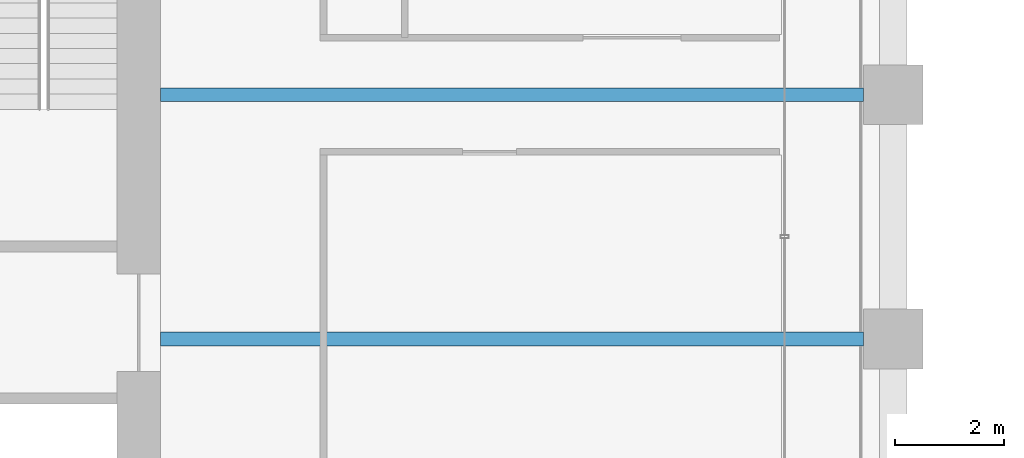
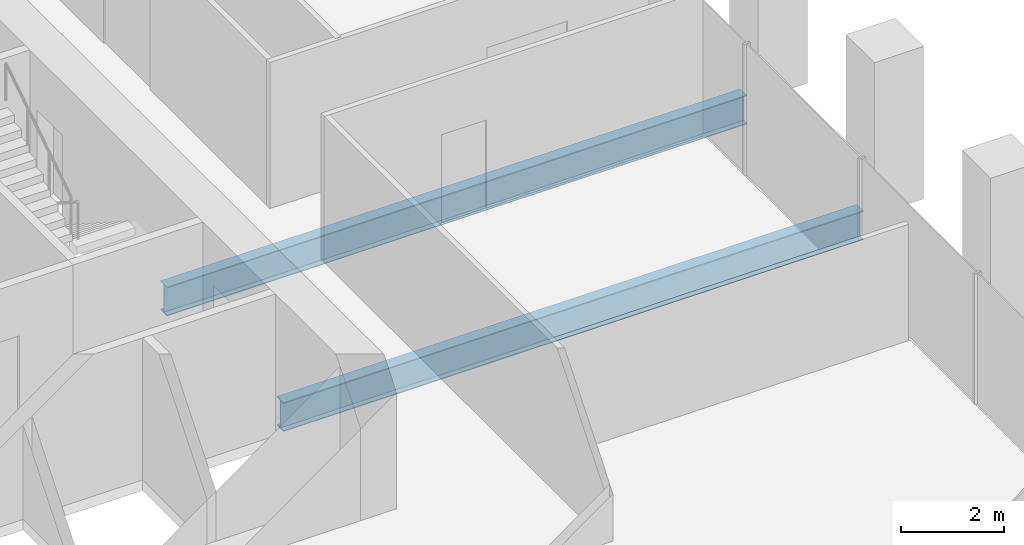
# One storey, part 19 of 54: 2 beams.
"""IFC4 building model written with IfcOpenShell, lengths in metres."""

from ifc_helpers import new_model, si_unit, direction, frame, origin, origin_2d, place, context, subcontext, project, spatial, i_section, extrude, material, material_profile, profile_set, type_object, element, save


model = new_model("IFC4")

# Units and contexts
model_context = context("Model", 3, precision=1e-05, world=origin(), true_north=direction((0.0, 1.0)))
body_context = subcontext(model_context, "Body", "Model", "MODEL_VIEW")
ifc_project = project(units=[si_unit("LENGTHUNIT", "METRE"), si_unit("AREAUNIT", "SQUARE_METRE"), si_unit("VOLUMEUNIT", "CUBIC_METRE"), si_unit("PLANEANGLEUNIT", "RADIAN"), si_unit("MASSUNIT", "GRAM", prefix="KILO")], contexts=[model_context])

# Site, building, storey
site_placement = place(None, origin())
site = spatial("IfcSite", under=ifc_project, at=site_placement, CompositionType="ELEMENT")
building_placement = place(site_placement, origin())
building = spatial("IfcBuilding", under=site, at=building_placement, Name="Altepetl Exchange Towers", CompositionType="ELEMENT")
storey_placement = place(building_placement, frame((0.0, 0.0, 61.800048828125)))
storey = spatial("IfcBuildingStorey", under=building, at=storey_placement, Name="L14", CompositionType="ELEMENT", Elevation=61.800048828125)

# Beams
ifc_material = material(Name="Steel S355", Category="steel")
ifc_material_profile = material_profile(ifc_material, i_section(OverallWidth=0.25390625, OverallDepth=0.68408203125, WebThickness=0.012451171875, FlangeThickness=0.018798828125, at=origin_2d()), Name="W27X94")
ifc_profile_set = profile_set([ifc_material_profile], Name="Steel S355")
beam_type = type_object("IfcBeamType", Name="Floor beam W27X94", PredefinedType="BEAM", material=ifc_profile_set)
for number, where, z_axis, x_axis, name in (
    (1, (58.5, 45.0, -0.491943359375), (1.0, 0.0, 0.0), (0.0, 1.0, 0.0), "bm:A:L14:009"),
    (2, (58.5, 49.5, -0.491943359375), (1.0, 0.0, 0.0), (0.0, 1.0, 0.0), "bm:A:L14:010"),
):
    element("IfcBeam", number, at=place(storey_placement, frame(where, z_axis=z_axis, x_axis=x_axis)), inside=storey, type_object=beam_type, Name=name, PredefinedType="BEAM", context=body_context, shape_type="SweptSolid", body=[
        extrude(i_section(OverallWidth=0.25390625, OverallDepth=0.68408203125, WebThickness=0.012451171875, FlangeThickness=0.018798828125, at=origin_2d()), origin(), (0.0, 0.0, 1.0), 12.949951171875),
    ])

save(model, "model.ifc")
